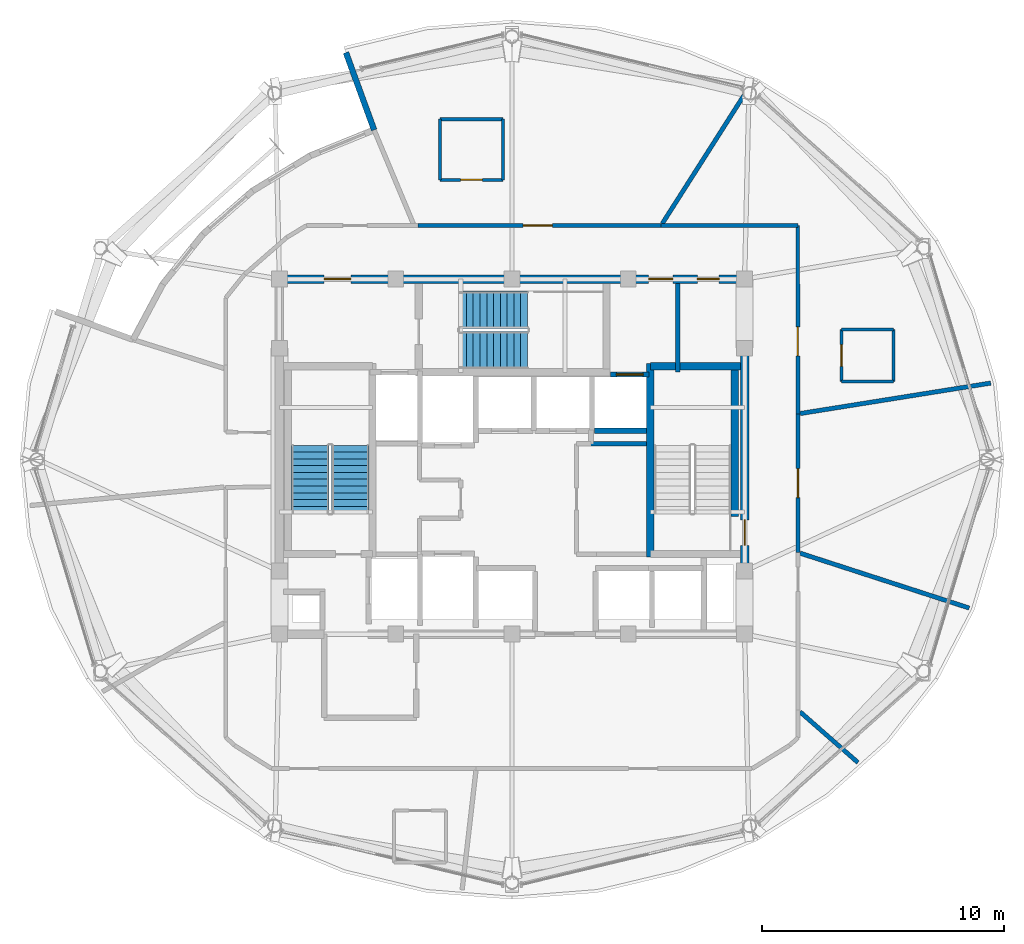
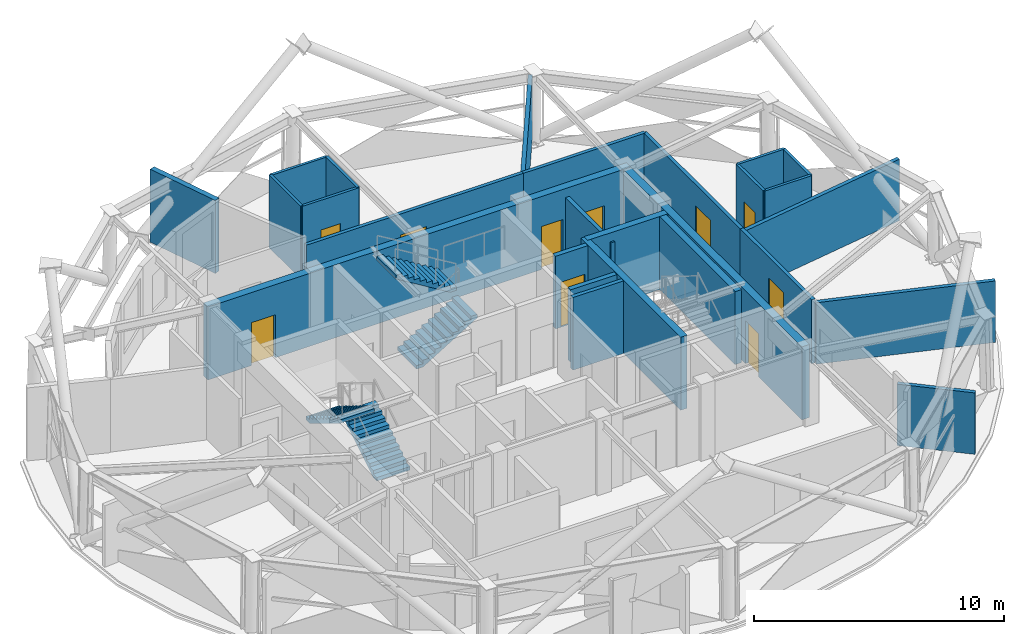
# One storey, part 10 of 15: 26 walls, 10 doors, 4 stair flights, 10 openings, 2 elements without a shape of their own.
"""IFC4 building model written with IfcOpenShell, lengths in metres."""

from ifc_helpers import new_model, si_unit, direction, frame, frame_2d, origin, place, context, subcontext, project, spatial, polyline, rectangle, outline, extrude, material, layer, layer_set, type_object, element, fill, aggregate, save


model = new_model("IFC4")

# Units and contexts
model_context = context("Model", 3, precision=1e-05, world=origin(), true_north=direction((0.0, 1.0)))
body_context = subcontext(model_context, "Body", "Model", "MODEL_VIEW")
ifc_project = project(units=[si_unit("LENGTHUNIT", "METRE"), si_unit("AREAUNIT", "SQUARE_METRE"), si_unit("VOLUMEUNIT", "CUBIC_METRE"), si_unit("PLANEANGLEUNIT", "RADIAN"), si_unit("MASSUNIT", "GRAM", prefix="KILO")], contexts=[model_context])

# Site, building, storey
site_placement = place(None, origin())
site = spatial("IfcSite", under=ifc_project, at=site_placement, CompositionType="ELEMENT")
building_placement = place(site_placement, origin())
building = spatial("IfcBuilding", under=site, at=building_placement, Name="Vantalir Tower", CompositionType="ELEMENT")
storey_placement = place(building_placement, frame((0.0, 0.0, 275.10009765625)))
storey = spatial("IfcBuildingStorey", under=building, at=storey_placement, Name="L69", CompositionType="ELEMENT", Elevation=275.10009765625)

# Walls
ifc_material_1 = material(Name="Moisture-resistant en-suite partition", Category="gypsum")
ifc_layer_1 = layer(ifc_material_1, 0.125)
ifc_layer_set_1 = layer_set([ifc_layer_1], Name="Moisture-resistant en-suite partition")
wall_type_1 = type_object("IfcWallType", Name="WL-BATH-125", PredefinedType="PARTITIONING", material=ifc_layer_set_1)
for number, where, z_axis, x_axis, name in (
    (1, (45.094970703125, 28.218017578125, 0.0), (0.0, 0.0, 1.0), (1.0, 0.0, 0.0), "L69 En-suite 01 South Wall"),
    (2, (45.094970703125, 30.367919921875, 0.0), (0.0, 0.0, 1.0), (1.0, 0.0, 0.0), "L69 En-suite 01 North Wall"),
):
    element("IfcWall", number, at=place(storey_placement, frame(where, z_axis=z_axis, x_axis=x_axis)), inside=storey, type_object=wall_type_1, Name=name, PredefinedType="PARTITIONING", context=body_context, shape_type="SweptSolid", body=[
        extrude(rectangle(XDim=2.150146484375, YDim=0.125, at=frame_2d((1.0751953125, 0.0))), origin(), (0.0, 0.0, 1.0), 3.5498046875),
    ])

# Wall, opening, door
wall_1_placement = place(storey_placement, frame((45.094970703125, 28.218017578125, 0.0), z_axis=(0.0, 0.0, 1.0), x_axis=(0.0, 1.0, 0.0)))
wall_1 = element("IfcWall", 3, at=wall_1_placement, inside=storey, type_object=wall_type_1, Name="L69 En-suite 01 West Wall", PredefinedType="PARTITIONING", context=body_context, shape_type="SweptSolid", body=[
    extrude(rectangle(XDim=2.14990234375, YDim=0.125, at=frame_2d((1.074951171875, 0.0))), origin(), (0.0, 0.0, 1.0), 3.5498046875),
])
opening_1_placement = place(wall_1_placement, frame((0.625, 0.0, 0.0)))
opening_1 = element("IfcOpeningElement", 4, at=opening_1_placement, cuts=wall_1, Name="Opening D-WC", PredefinedType="OPENING", context=body_context, shape_type="SweptSolid", body=[
    extrude(rectangle(XDim=0.89990234375, YDim=2.10009765625, at=frame_2d((0.449951171875, 1.050048828125))), frame((0.0, 0.072509765625, 0.0), z_axis=(0.0, -1.0, 0.0), x_axis=(1.0, 0.0, 0.0)), (0.0, 0.0, 1.0), 0.14501953125),
])
ifc_material_2 = material(Name="Moisture-resistant hardwood door", Category="wood")
door_type_1 = type_object("IfcDoorType", Name="DR-ENSUITE-900", OperationType="NOTDEFINED", PredefinedType="DOOR", material=ifc_material_2)
door_1_placement = place(opening_1_placement, frame((0.89990234375, 0.0, 0.0), z_axis=(0.0, 0.0, 1.0), x_axis=(-1.0, 0.0, 0.0)))
door_1 = element("IfcDoor", 5, at=door_1_placement, inside=storey, type_object=door_type_1, Name="L69 En-suite 01 Door", OperationType="SINGLE_SWING_LEFT", OverallHeight=2.10009765625, OverallWidth=0.89990234375, PredefinedType="DOOR", context=body_context, shape_type="SweptSolid", body=[
    extrude(rectangle(XDim=0.89990234375, YDim=2.10009765625, at=frame_2d((0.449951171875, 1.050048828125))), frame((0.0, 0.02490234375, 0.0), z_axis=(0.0, -1.0, 0.0), x_axis=(1.0, 0.0, 0.0)), (0.0, 0.0, 1.0), 0.050048828125),
])
fill(opening_1, door_1)

# Wall
wall_2_placement = place(storey_placement, frame((47.2451171875, 28.218017578125, 0.0), z_axis=(0.0, 0.0, 1.0), x_axis=(0.0, 1.0, 0.0)))
element("IfcWall", 6, at=wall_2_placement, inside=storey, type_object=wall_type_1, Name="L69 En-suite 01 East Wall", PredefinedType="PARTITIONING", context=body_context, shape_type="SweptSolid", body=[
    extrude(rectangle(XDim=2.14990234375, YDim=0.125, at=frame_2d((1.074951171875, 0.0))), origin(), (0.0, 0.0, 1.0), 3.5498046875),
])

# Wall, opening, door
wall_3_placement = place(storey_placement, frame((28.528076171875, 36.547119140625, 0.0), z_axis=(0.0, 0.0, 1.0), x_axis=(1.0, 0.0, 0.0)))
wall_3 = element("IfcWall", 7, at=wall_3_placement, inside=storey, type_object=wall_type_1, Name="L69 En-suite 02 South Wall", PredefinedType="PARTITIONING", context=body_context, shape_type="SweptSolid", body=[
    extrude(rectangle(XDim=2.599853515625, YDim=0.125, at=frame_2d((1.2998046875, 0.0))), origin(), (0.0, 0.0, 1.0), 3.5498046875),
])
opening_2_placement = place(wall_3_placement, frame((0.85009765625, 0.0, 0.0)))
opening_2 = element("IfcOpeningElement", 8, at=opening_2_placement, cuts=wall_3, Name="Opening D-WC", PredefinedType="OPENING", context=body_context, shape_type="SweptSolid", body=[
    extrude(rectangle(XDim=0.89990234375, YDim=2.10009765625, at=frame_2d((0.449951171875, 1.050048828125))), frame((0.0, 0.072509765625, 0.0), z_axis=(0.0, -1.0, 0.0), x_axis=(1.0, 0.0, 0.0)), (0.0, 0.0, 1.0), 0.14501953125),
])
door_2_placement = place(opening_2_placement, origin())
door_2 = element("IfcDoor", 9, at=door_2_placement, inside=storey, type_object=door_type_1, Name="L69 En-suite 02 Door", OperationType="SINGLE_SWING_RIGHT", OverallHeight=2.10009765625, OverallWidth=0.89990234375, PredefinedType="DOOR", context=body_context, shape_type="SweptSolid", body=[
    extrude(rectangle(XDim=0.89990234375, YDim=2.10009765625, at=frame_2d((0.449951171875, 1.050048828125))), frame((0.0, 0.02490234375, 0.0), z_axis=(0.0, -1.0, 0.0), x_axis=(1.0, 0.0, 0.0)), (0.0, 0.0, 1.0), 0.050048828125),
])
fill(opening_2, door_2)

# Walls
wall_4_placement = place(storey_placement, frame((28.528076171875, 39.047119140625, 0.0), z_axis=(0.0, 0.0, 1.0), x_axis=(1.0, 0.0, 0.0)))
element("IfcWall", 10, at=wall_4_placement, inside=storey, type_object=wall_type_1, Name="L69 En-suite 02 North Wall", PredefinedType="PARTITIONING", context=body_context, shape_type="SweptSolid", body=[
    extrude(rectangle(XDim=2.599853515625, YDim=0.125, at=frame_2d((1.2998046875, 0.0))), origin(), (0.0, 0.0, 1.0), 3.5498046875),
])
for number, where, z_axis, x_axis, name in (
    (11, (28.528076171875, 36.547119140625, 0.0), (0.0, 0.0, 1.0), (0.0, 1.0, 0.0), "L69 En-suite 02 West Wall"),
    (12, (31.1279296875, 36.547119140625, 0.0), (0.0, 0.0, 1.0), (0.0, 1.0, 0.0), "L69 En-suite 02 East Wall"),
):
    element("IfcWall", number, at=place(storey_placement, frame(where, z_axis=z_axis, x_axis=x_axis)), inside=storey, type_object=wall_type_1, Name=name, PredefinedType="PARTITIONING", context=body_context, shape_type="SweptSolid", body=[
        extrude(rectangle(XDim=2.5, YDim=0.125, at=frame_2d((1.25, 0.0))), origin(), (0.0, 0.0, 1.0), 3.5498046875),
    ])

# Wall, openings, doors
ifc_material_3 = material(Name="Concrete C50/60", Category="concrete")
ifc_layer_2 = layer(ifc_material_3, 0.35009765625)
ifc_layer_set_2 = layer_set([ifc_layer_2], Name="Concrete C50/60")
wall_type_2 = type_object("IfcWallType", Name="WL-CORE-350", PredefinedType="SHEAR", material=ifc_layer_set_2)
wall_5_placement = place(storey_placement, frame((21.72509765625, 32.449951171875, 0.0), z_axis=(0.0, 0.0, 1.0), x_axis=(1.0, 0.0, 0.0)))
wall_5 = element("IfcWall", 13, at=wall_5_placement, inside=storey, type_object=wall_type_2, Name="L69 Core Shear Wall North", PredefinedType="SHEAR", context=body_context, shape_type="SweptSolid", body=[
    extrude(rectangle(XDim=19.5498046875, YDim=0.35009765625, at=frame_2d((9.77490234375, 0.0))), origin(), (0.0, 0.0, 1.0), 3.56982421875),
])
opening_3_placement = place(wall_5_placement, frame((2.02490234375, 0.0, 0.0)))
opening_3 = element("IfcOpeningElement", 14, at=opening_3_placement, cuts=wall_5, Name="Opening D-FFL", PredefinedType="OPENING", context=body_context, shape_type="SweptSolid", body=[
    extrude(rectangle(XDim=1.10009765625, YDim=2.10009765625, at=frame_2d((0.550048828125, 1.050048828125))), frame((0.0, 0.18505859375, 0.0), z_axis=(0.0, -1.0, 0.0), x_axis=(1.0, 0.0, 0.0)), (0.0, 0.0, 1.0), 0.3701171875),
])
opening_4_placement = place(wall_5_placement, frame((15.4150390625, 0.0, 0.0)))
opening_4 = element("IfcOpeningElement", 15, at=opening_4_placement, cuts=wall_5, Name="Opening D-GUEST", PredefinedType="OPENING", context=body_context, shape_type="SweptSolid", body=[
    extrude(rectangle(XDim=1.0, YDim=2.10009765625, at=frame_2d((0.5, 1.050048828125))), frame((0.0, 0.18505859375, 0.0), z_axis=(0.0, -1.0, 0.0), x_axis=(1.0, 0.0, 0.0)), (0.0, 0.0, 1.0), 0.3701171875),
])
opening_5_placement = place(wall_5_placement, frame((17.425048828125, 0.0, 0.0)))
opening_5 = element("IfcOpeningElement", 16, at=opening_5_placement, cuts=wall_5, Name="Opening D-CR", PredefinedType="OPENING", context=body_context, shape_type="SweptSolid", body=[
    extrude(rectangle(XDim=0.89990234375, YDim=2.10009765625, at=frame_2d((0.449951171875, 1.050048828125))), frame((0.0, 0.18505859375, 0.0), z_axis=(0.0, -1.0, 0.0), x_axis=(1.0, 0.0, 0.0)), (0.0, 0.0, 1.0), 0.3701171875),
])
ifc_material_4 = material(Name="Fire-rated steel core service door", Category="steel")
door_type_2 = type_object("IfcDoorType", Name="DR-CORE-SERV-900", OperationType="NOTDEFINED", PredefinedType="DOOR", material=ifc_material_4)
door_3_placement = place(opening_5_placement, frame((0.89990234375, 0.0, 0.0), z_axis=(0.0, 0.0, 1.0), x_axis=(-1.0, 0.0, 0.0)))
door_3 = element("IfcDoor", 17, at=door_3_placement, inside=storey, type_object=door_type_2, Name="L69 Housekeeping and Linen Room Door", OperationType="SINGLE_SWING_RIGHT", OverallHeight=2.10009765625, OverallWidth=0.89990234375, PredefinedType="DOOR", context=body_context, shape_type="SweptSolid", body=[
    extrude(rectangle(XDim=0.89990234375, YDim=2.10009765625, at=frame_2d((0.449951171875, 1.050048828125))), frame((0.0, 0.02490234375, 0.0), z_axis=(0.0, -1.0, 0.0), x_axis=(1.0, 0.0, 0.0)), (0.0, 0.0, 1.0), 0.050048828125),
])
fill(opening_5, door_3)
ifc_material_5 = material(Name="Fire-rated acoustic steel door", Category="steel")
door_type_3 = type_object("IfcDoorType", Name="DR-FIRE-LOBBY-1100", OperationType="NOTDEFINED", PredefinedType="DOOR", material=ifc_material_5)
door_4_placement = place(opening_3_placement, frame((1.10009765625, 0.0, 0.0), z_axis=(0.0, 0.0, 1.0), x_axis=(-1.0, 0.0, 0.0)))
door_4 = element("IfcDoor", 18, at=door_4_placement, inside=storey, type_object=door_type_3, Name="L69 Firefighting Lobby East Access Door", OperationType="SINGLE_SWING_LEFT", OverallHeight=2.10009765625, OverallWidth=1.10009765625, PredefinedType="DOOR", context=body_context, shape_type="SweptSolid", body=[
    extrude(rectangle(XDim=1.10009765625, YDim=2.10009765625, at=frame_2d((0.550048828125, 1.050048828125))), frame((0.0, 0.02490234375, 0.0), z_axis=(0.0, -1.0, 0.0), x_axis=(1.0, 0.0, 0.0)), (0.0, 0.0, 1.0), 0.050048828125),
])
fill(opening_3, door_4)
ifc_material_6 = material(Name="Solid-core teak veneer acoustic fire door", Category="wood")
door_type_4 = type_object("IfcDoorType", Name="DR-GUEST-ENTRY-1000", OperationType="NOTDEFINED", PredefinedType="DOOR", material=ifc_material_6)
door_5_placement = place(opening_4_placement, frame((1.0, 0.0, 0.0), z_axis=(0.0, 0.0, 1.0), x_axis=(-1.0, 0.0, 0.0)))
door_5 = element("IfcDoor", 19, at=door_5_placement, inside=storey, type_object=door_type_4, Name="L69 High-Rise Lift Lobby Door", OperationType="SINGLE_SWING_LEFT", OverallHeight=2.10009765625, OverallWidth=1.0, PredefinedType="DOOR", context=body_context, shape_type="SweptSolid", body=[
    extrude(rectangle(XDim=1.0, YDim=2.10009765625, at=frame_2d((0.5, 1.050048828125))), frame((0.0, 0.02490234375, 0.0), z_axis=(0.0, -1.0, 0.0), x_axis=(1.0, 0.0, 0.0)), (0.0, 0.0, 1.0), 0.050048828125),
])
fill(opening_4, door_5)

# Wall, opening, door
wall_6_placement = place(storey_placement, frame((41.10009765625, 17.97509765625, 0.0), z_axis=(0.0, 0.0, 1.0), x_axis=(0.0, 1.0, 0.0)))
wall_6 = element("IfcWall", 20, at=wall_6_placement, inside=storey, type_object=wall_type_2, Name="L69 Core Shear Wall East", PredefinedType="SHEAR", context=body_context, shape_type="SweptSolid", body=[
    extrude(rectangle(XDim=14.2998046875, YDim=0.35009765625, at=frame_2d((7.14990234375, 0.0))), origin(), (0.0, 0.0, 1.0), 3.56982421875),
])
opening_6_placement = place(wall_6_placement, frame((3.485107421875, 0.0, 0.0)))
opening_6 = element("IfcOpeningElement", 21, at=opening_6_placement, cuts=wall_6, Name="Opening D-ST", PredefinedType="OPENING", context=body_context, shape_type="SweptSolid", body=[
    extrude(rectangle(XDim=1.050048828125, YDim=2.10009765625, at=frame_2d((0.52490234375, 1.050048828125))), frame((0.0, 0.18505859375, 0.0), z_axis=(0.0, -1.0, 0.0), x_axis=(1.0, 0.0, 0.0)), (0.0, 0.0, 1.0), 0.3701171875),
])
ifc_material_7 = material(Name="Fire-rated steel door leaf", Category="steel")
door_type_5 = type_object("IfcDoorType", Name="DR-FIRE-STAIR-1050", OperationType="NOTDEFINED", PredefinedType="DOOR", material=ifc_material_7)
door_6_placement = place(opening_6_placement, origin())
door_6 = element("IfcDoor", 22, at=door_6_placement, inside=storey, type_object=door_type_5, Name="L69 Exit Stair ST2 Fire Door", OperationType="SINGLE_SWING_LEFT", OverallHeight=2.10009765625, OverallWidth=1.050048828125, PredefinedType="DOOR", context=body_context, shape_type="SweptSolid", body=[
    extrude(rectangle(XDim=1.050048828125, YDim=2.10009765625, at=frame_2d((0.52490234375, 1.050048828125))), frame((0.0, 0.02490234375, 0.0), z_axis=(0.0, -1.0, 0.0), x_axis=(1.0, 0.0, 0.0)), (0.0, 0.0, 1.0), 0.050048828125),
])
fill(opening_6, door_6)

ifc_material_8 = material(Name="Fire-rated hotel corridor acoustic partition", Category="gypsum")
ifc_layer_3 = layer(ifc_material_8, 0.159912109375)
ifc_layer_set_3 = layer_set([ifc_layer_3], Name="Fire-rated hotel corridor acoustic partition")
wall_type_3 = type_object("IfcWallType", Name="WL-CORR-160", PredefinedType="PARTITIONING", material=ifc_layer_set_3)
wall_7_placement = place(storey_placement, frame((27.6220703125, 34.662109375, 0.0), z_axis=(0.0, 0.0, 1.0), x_axis=(0.999999992592, -0.000121719654, 0.0)))
wall_7 = element("IfcWall", 23, at=wall_7_placement, inside=storey, type_object=wall_type_3, Name="L69 Corridor Partition 08", PredefinedType="PARTITIONING", context=body_context, shape_type="SweptSolid", body=[
    extrude(rectangle(XDim=10.02880859375, YDim=0.159912109375, at=frame_2d((5.014404296875, 0.0))), origin(), (0.0, 0.0, 1.0), 3.1318359375),
])
opening_7_placement = place(wall_7_placement, frame((4.340087890625, 0.0, 0.0)))
opening_7 = element("IfcOpeningElement", 24, at=opening_7_placement, cuts=wall_7, Name="Opening D-STE", PredefinedType="OPENING", context=body_context, shape_type="SweptSolid", body=[
    extrude(rectangle(XDim=1.199951171875, YDim=2.10009765625, at=frame_2d((0.60009765625, 1.050048828125))), frame((0.0, 0.08984375, 0.0), z_axis=(0.0, -1.0, 0.0), x_axis=(1.0, 0.0, 0.0)), (0.0, 0.0, 1.0), 0.179931640625),
])
ifc_material_9 = material(Name="Solid-core teak veneer suite entrance door", Category="wood")
door_type_6 = type_object("IfcDoorType", Name="DR-SUITE-ENTRY-1200", OperationType="NOTDEFINED", PredefinedType="DOOR", material=ifc_material_9)
door_7_placement = place(opening_7_placement, origin())
door_7 = element("IfcDoor", 25, at=door_7_placement, inside=storey, type_object=door_type_6, Name="L69 Executive Club Hotel Suite 02 Door", OperationType="SINGLE_SWING_RIGHT", OverallHeight=2.10009765625, OverallWidth=1.199951171875, PredefinedType="DOOR", context=body_context, shape_type="SweptSolid", body=[
    extrude(rectangle(XDim=1.199951171875, YDim=2.10009765625, at=frame_2d((0.60009765625, 1.050048828125))), frame((0.0, 0.02490234375, 0.0), z_axis=(0.0, -1.0, 0.0), x_axis=(1.0, 0.0, 0.0)), (0.0, 0.0, 1.0), 0.050048828125),
])
fill(opening_7, door_7)

# Wall
wall_8_placement = place(storey_placement, frame((37.65087890625, 34.660888671875, 0.0), z_axis=(0.0, 0.0, 1.0), x_axis=(0.999999985026, -0.000173055289, 0.0)))
element("IfcWall", 26, at=wall_8_placement, inside=storey, type_object=wall_type_3, Name="L69 Corridor Partition 09", PredefinedType="PARTITIONING", context=body_context, shape_type="SweptSolid", body=[
    extrude(rectangle(XDim=5.64306640625, YDim=0.159912109375, at=frame_2d((2.821533203125, 0.0))), origin(), (0.0, 0.0, 1.0), 3.1318359375),
])

# Wall, opening, door
wall_9_placement = place(storey_placement, frame((43.2939453125, 34.659912109375, 0.0), z_axis=(0.0, 0.0, 1.0), x_axis=(0.000659589027, -0.999999782471, 0.0)))
wall_9 = element("IfcWall", 27, at=wall_9_placement, inside=storey, type_object=wall_type_3, Name="L69 Corridor Partition 10", PredefinedType="PARTITIONING", context=body_context, shape_type="SweptSolid", body=[
    extrude(rectangle(XDim=7.77294921875, YDim=0.159912109375, at=frame_2d((3.886474609375, 0.0))), origin(), (0.0, 0.0, 1.0), 3.1318359375),
])
opening_8_placement = place(wall_9_placement, frame((4.179931640625, 0.0, 0.0)))
opening_8 = element("IfcOpeningElement", 28, at=opening_8_placement, cuts=wall_9, Name="Opening D-STE", PredefinedType="OPENING", context=body_context, shape_type="SweptSolid", body=[
    extrude(rectangle(XDim=1.199951171875, YDim=2.10009765625, at=frame_2d((0.60009765625, 1.050048828125))), frame((0.0, 0.08984375, 0.0), z_axis=(0.0, -1.0, 0.0), x_axis=(1.0, 0.0, 0.0)), (0.0, 0.0, 1.0), 0.179931640625),
])
door_8_placement = place(opening_8_placement, origin())
door_8 = element("IfcDoor", 29, at=door_8_placement, inside=storey, type_object=door_type_6, Name="L69 Corner Panorama Hotel Suite 01 Door", OperationType="SINGLE_SWING_LEFT", OverallHeight=2.10009765625, OverallWidth=1.199951171875, PredefinedType="DOOR", context=body_context, shape_type="SweptSolid", body=[
    extrude(rectangle(XDim=1.199951171875, YDim=2.10009765625, at=frame_2d((0.60009765625, 1.050048828125))), frame((0.0, 0.02490234375, 0.0), z_axis=(0.0, -1.0, 0.0), x_axis=(1.0, 0.0, 0.0)), (0.0, 0.0, 1.0), 0.050048828125),
])
fill(opening_8, door_8)

wall_10_placement = place(storey_placement, frame((43.299072265625, 26.886962890625, 0.0), z_axis=(0.0, 0.0, 1.0), x_axis=(0.000683030791, -0.999999766734, 0.0)))
wall_10 = element("IfcWall", 30, at=wall_10_placement, inside=storey, type_object=wall_type_3, Name="L69 Corridor Partition 11", PredefinedType="PARTITIONING", context=body_context, shape_type="SweptSolid", body=[
    extrude(rectangle(XDim=5.718994140625, YDim=0.159912109375, at=frame_2d((2.859375, 0.0))), origin(), (0.0, 0.0, 1.0), 3.1318359375),
])
opening_9_placement = place(wall_10_placement, frame((2.260009765625, 0.0, 0.0)))
opening_9 = element("IfcOpeningElement", 31, at=opening_9_placement, cuts=wall_10, Name="Opening D-STE", PredefinedType="OPENING", context=body_context, shape_type="SweptSolid", body=[
    extrude(rectangle(XDim=1.199951171875, YDim=2.10009765625, at=frame_2d((0.60009765625, 1.050048828125))), frame((0.0, 0.08984375, 0.0), z_axis=(0.0, -1.0, 0.0), x_axis=(1.0, 0.0, 0.0)), (0.0, 0.0, 1.0), 0.179931640625),
])
door_9_placement = place(opening_9_placement, origin())
door_9 = element("IfcDoor", 32, at=door_9_placement, inside=storey, type_object=door_type_6, Name="L69 Club Reading Lounge 09 Door", OperationType="SINGLE_SWING_LEFT", OverallHeight=2.10009765625, OverallWidth=1.199951171875, PredefinedType="DOOR", context=body_context, shape_type="SweptSolid", body=[
    extrude(rectangle(XDim=1.199951171875, YDim=2.10009765625, at=frame_2d((0.60009765625, 1.050048828125))), frame((0.0, 0.02490234375, 0.0), z_axis=(0.0, -1.0, 0.0), x_axis=(1.0, 0.0, 0.0)), (0.0, 0.0, 1.0), 0.050048828125),
])
fill(opening_9, door_9)

# Walls
ifc_material_10 = material(Name="Precast concrete C40/50 insulated sky-garden wall", Category="concrete")
ifc_layer_4 = layer(ifc_material_10, 0.239990234375)
ifc_layer_set_4 = layer_set([ifc_layer_4], Name="Precast concrete C40/50 insulated sky-garden wall")
wall_type_4 = type_object("IfcWallType", Name="WL-EXT-SG-240", PredefinedType="SOLIDWALL", material=ifc_layer_set_4)
wall_11_placement = place(storey_placement, frame((24.64599609375, 41.800048828125, 0.0), z_axis=(0.0, 0.0, 1.0), x_axis=(0.342065890968, -0.939675968745, 0.0)))
element("IfcWall", 33, at=wall_11_placement, inside=storey, type_object=wall_type_4, Name="L69 SG4 Sky-Garden Return Wall A", PredefinedType="SOLIDWALL", context=body_context, shape_type="SweptSolid", body=[
    extrude(rectangle(XDim=3.400146484375, YDim=0.239990234375, at=frame_2d((1.7001953125, 0.0))), origin(), (0.0, 0.0, 1.0), 3.56982421875),
])
ifc_material_11 = material(Name="Concrete blockwork with fireboard lining", Category="masonry")
ifc_layer_5 = layer(ifc_material_11, 0.219970703125)
ifc_layer_set_5 = layer_set([ifc_layer_5], Name="Concrete blockwork with fireboard lining")
wall_type_5 = type_object("IfcWallType", Name="WL-FFL-220", PredefinedType="PARTITIONING", material=ifc_layer_set_5)
wall_12_placement = place(storey_placement, frame((34.909912109375, 26.18994140625, 0.0), z_axis=(0.0, 0.0, 1.0), x_axis=(1.0, 0.0, 0.0)))
element("IfcWall", 34, at=wall_12_placement, inside=storey, type_object=wall_type_5, Name="L69 High-Rise Lift PL-H3 Rear Shaft Wall", PredefinedType="PARTITIONING", context=body_context, shape_type="SweptSolid", body=[
    extrude(rectangle(XDim=2.14013671875, YDim=0.219970703125, at=frame_2d((1.070068359375, 0.0))), origin(), (0.0, 0.0, 1.0), 3.544921875),
])

# Wall, opening, door
wall_13_placement = place(storey_placement, frame((35.56005859375, 28.510009765625, 0.0), z_axis=(0.0, 0.0, 1.0), x_axis=(1.0, 0.0, 0.0)))
wall_13 = element("IfcWall", 35, at=wall_13_placement, inside=storey, type_object=wall_type_5, Name="L69 Lift PL-H3 Shaft Front Wall", PredefinedType="PARTITIONING", context=body_context, shape_type="SweptSolid", body=[
    extrude(rectangle(XDim=1.599853515625, YDim=0.219970703125, at=frame_2d((0.7998046875, 0.0))), origin(), (0.0, 0.0, 1.0), 3.5498046875),
])
opening_10_placement = place(wall_13_placement, frame((0.25, 0.0, 0.0)))
opening_10 = element("IfcOpeningElement", 36, at=opening_10_placement, cuts=wall_13, Name="Opening LD-PL-H3", PredefinedType="OPENING", context=body_context, shape_type="SweptSolid", body=[
    extrude(rectangle(XDim=1.10009765625, YDim=2.199951171875, at=frame_2d((0.550048828125, 1.10009765625))), frame((0.0, 0.119873046875, 0.0), z_axis=(0.0, -1.0, 0.0), x_axis=(1.0, 0.0, 0.0)), (0.0, 0.0, 1.0), 0.239990234375),
])
ifc_material_12 = material(Name="Brushed stainless-steel sliding lift landing door", Category="steel")
door_type_7 = type_object("IfcDoorType", Name="DR-LIFT-LANDING-1100", OperationType="DOUBLE_DOOR_SLIDING", PredefinedType="DOOR", material=ifc_material_12)
door_10_placement = place(opening_10_placement, origin())
door_10 = element("IfcDoor", 37, at=door_10_placement, inside=storey, type_object=door_type_7, Name="L69 Lift Landing Door PL-H3", OperationType="DOUBLE_DOOR_SLIDING", OverallHeight=2.199951171875, OverallWidth=1.10009765625, PredefinedType="DOOR", context=body_context, shape_type="SweptSolid", body=[
    extrude(rectangle(XDim=1.10009765625, YDim=2.199951171875, at=frame_2d((0.550048828125, 1.10009765625))), frame((0.0, 0.02490234375, 0.0), z_axis=(0.0, -1.0, 0.0), x_axis=(1.0, 0.0, 0.0)), (0.0, 0.0, 1.0), 0.050048828125),
])
fill(opening_10, door_10)

# Walls
ifc_material_13 = material(Name="Twin-stud acoustic fire-rated gypsum partition", Category="gypsum")
ifc_layer_6 = layer(ifc_material_13, 0.179931640625)
ifc_layer_set_6 = layer_set([ifc_layer_6], Name="Twin-stud acoustic fire-rated gypsum partition")
wall_type_6 = type_object("IfcWallType", Name="WL-GUEST-180", PredefinedType="PARTITIONING", material=ifc_layer_set_6)
wall_14_placement = place(storey_placement, frame((34.719970703125, 25.64990234375, 0.0), z_axis=(0.0, 0.0, 1.0), x_axis=(1.0, 0.0, 0.0)))
element("IfcWall", 38, at=wall_14_placement, inside=storey, type_object=wall_type_6, Name="L69 Freed East Core North Wall", PredefinedType="PARTITIONING", context=body_context, shape_type="SweptSolid", body=[
    extrude(rectangle(XDim=2.340087890625, YDim=0.179931640625, at=frame_2d((1.169921875, 0.0))), origin(), (0.0, 0.0, 1.0), 3.5498046875),
])
wall_15_placement = place(storey_placement, frame((38.340087890625, 28.6201171875, 0.0), z_axis=(0.0, 0.0, 1.0), x_axis=(0.0, 1.0, 0.0)))
element("IfcWall", 39, at=wall_15_placement, inside=storey, type_object=wall_type_6, Name="L69 High-Rise Lift Lobby East Wall", PredefinedType="PARTITIONING", context=body_context, shape_type="SweptSolid", body=[
    extrude(rectangle(XDim=3.65478515625, YDim=0.179931640625, at=frame_2d((1.827392578125, 0.0))), origin(), (0.0, 0.0, 1.0), 3.1318359375),
])
wall_16_placement = place(storey_placement, frame((43.389892578125, 26.90087890625, 0.0), z_axis=(0.0, 0.0, 1.0), x_axis=(0.98746031542, 0.15786743005, 0.0)))
element("IfcWall", 40, at=wall_16_placement, inside=storey, type_object=wall_type_6, Name="L69 Radial Suite Partition 01", PredefinedType="PARTITIONING", context=body_context, shape_type="SweptSolid", body=[
    extrude(rectangle(XDim=7.968994140625, YDim=0.179931640625, at=frame_2d((3.984375, 0.0))), origin(), (0.0, 0.0, 1.0), 3.0029296875),
])
wall_17_placement = place(storey_placement, frame((37.701904296875, 34.739990234375, 0.0), z_axis=(0.0, 0.0, 1.0), x_axis=(0.537156628759, 0.84348251682, 0.0)))
element("IfcWall", 41, at=wall_17_placement, inside=storey, type_object=wall_type_6, Name="L69 Radial Suite Partition 02", PredefinedType="PARTITIONING", context=body_context, shape_type="SweptSolid", body=[
    extrude(rectangle(XDim=6.91064453125, YDim=0.179931640625, at=frame_2d((3.455322265625, 0.0))), origin(), (0.0, 0.0, 1.0), 3.0029296875),
])
wall_18_placement = place(storey_placement, frame((43.389892578125, 14.589111328125, 0.0), z_axis=(0.0, 0.0, 1.0), x_axis=(0.752357486603, -0.658755047307, 0.0)))
element("IfcWall", 42, at=wall_18_placement, inside=storey, type_object=wall_type_6, Name="L69 Radial Suite Partition 08", PredefinedType="PARTITIONING", context=body_context, shape_type="SweptSolid", body=[
    extrude(rectangle(XDim=3.17431640625, YDim=0.179931640625, at=frame_2d((1.587158203125, 0.0))), origin(), (0.0, 0.0, 1.0), 3.0029296875),
])
wall_19_placement = place(storey_placement, frame((43.389892578125, 21.139892578125, 0.0), z_axis=(0.0, 0.0, 1.0), x_axis=(0.951126451792, -0.308801672115, 0.0)))
element("IfcWall", 43, at=wall_19_placement, inside=storey, type_object=wall_type_6, Name="L69 Radial Suite Partition 09", PredefinedType="PARTITIONING", context=body_context, shape_type="SweptSolid", body=[
    extrude(rectangle(XDim=7.337646484375, YDim=0.179931640625, at=frame_2d((3.6689453125, 0.0))), origin(), (0.0, 0.0, 1.0), 3.0029296875),
])
ifc_layer_7 = layer(ifc_material_3, 0.300048828125)
ifc_layer_set_7 = layer_set([ifc_layer_7], Name="Concrete C50/60")
wall_type_7 = type_object("IfcWallType", Name="WL-STAIR-300", PredefinedType="SHEAR", material=ifc_layer_set_7)
wall_20_placement = place(storey_placement, frame((37.2099609375, 28.85009765625, 0.0), z_axis=(0.0, 0.0, 1.0), x_axis=(1.0, 0.0, 0.0)))
element("IfcWall", 44, at=wall_20_placement, inside=storey, type_object=wall_type_7, Name="L69 Stair ST2 North Wall", PredefinedType="SHEAR", context=body_context, shape_type="SweptSolid", body=[
    extrude(rectangle(XDim=3.715087890625, YDim=0.300048828125, at=frame_2d((1.857421875, 0.0))), origin(), (0.0, 0.0, 1.0), 3.56982421875),
])
wall_21_placement = place(storey_placement, frame((37.2099609375, 20.97998046875, 0.0), z_axis=(0.0, 0.0, 1.0), x_axis=(0.0, 1.0, 0.0)))
element("IfcWall", 45, at=wall_21_placement, inside=storey, type_object=wall_type_7, Name="L69 Stair ST2 West Wall", PredefinedType="SHEAR", context=body_context, shape_type="SweptSolid", body=[
    extrude(rectangle(XDim=7.989990234375, YDim=0.300048828125, at=frame_2d((3.9951171875, 0.0))), origin(), (0.0, 0.0, 1.0), 3.56982421875),
])
wall_22_placement = place(storey_placement, frame((40.68994140625, 22.64990234375, 0.0), z_axis=(0.0, 0.0, 1.0), x_axis=(0.0, 1.0, 0.0)))
element("IfcWall", 46, at=wall_22_placement, inside=storey, type_object=wall_type_7, Name="L69 Stair ST2 East Liner Wall", PredefinedType="SHEAR", context=body_context, shape_type="SweptSolid", body=[
    extrude(rectangle(XDim=6.2001953125, YDim=0.300048828125, at=frame_2d((3.10009765625, 0.0))), origin(), (0.0, 0.0, 1.0), 3.56982421875),
])

# Stair, stair flights
ifc_material_14 = material(Name="Concrete C40/50", Category="concrete")
stair_type = type_object("IfcStairType", Name="STR-CORE-1450", PredefinedType="HALF_TURN_STAIR", material=ifc_material_14)
stair_1_placement = place(storey_placement, origin())
stair_1 = element("IfcStair", 47, at=stair_1_placement, inside=storey, type_object=stair_type, Name="L69 Core Exit Stair 1", PredefinedType="HALF_TURN_STAIR")
stair_flight_type = type_object("IfcStairFlightType", Name="FLT-CORE-1450", PredefinedType="STRAIGHT", material=ifc_material_14)
stair_flight_1_placement = place(storey_placement, frame((24.830078125, 22.7900390625, 0.0), z_axis=(0.0, 0.0, 1.0), x_axis=(0.0, 1.0, 0.0)))
stair_flight_1 = element("IfcStairFlight", 48, at=stair_flight_1_placement, type_object=stair_flight_type, Name="ST1 flight 1", NumberOfRisers=11, NumberOfTreads=10, PredefinedType="STRAIGHT", RiserHeight=0.170454545, TreadLength=0.28, context=body_context, shape_type="SweptSolid", body=[
    extrude(outline(polyline([(0.0, 0.0), (0.0, 0.17041015625), (0.280029296875, 0.17041015625), (0.280029296875, 0.3408203125), (0.56005859375, 0.3408203125), (0.56005859375, 0.511474609375), (0.840087890625, 0.511474609375), (0.840087890625, 0.681884765625), (1.1201171875, 0.681884765625), (1.1201171875, 0.852294921875), (1.39990234375, 0.852294921875), (1.39990234375, 1.022705078125), (1.679931640625, 1.022705078125), (1.679931640625, 1.193115234375), (1.9599609375, 1.193115234375), (1.9599609375, 1.363525390625), (2.239990234375, 1.363525390625), (2.239990234375, 1.5341796875), (2.52001953125, 1.5341796875), (2.52001953125, 1.70458984375), (2.800048828125, 1.70458984375), (2.800048828125, 1.875), (2.800048828125, 1.529052734375), (0.288330078125, 0.0), (0.0, 0.0)])), frame((0.0, 0.77001953125, 0.0), z_axis=(0.0, -1.0, 0.0), x_axis=(1.0, 0.0, 0.0)), (0.0, 0.0, 1.0), 1.5400390625),
])
stair_flight_2_placement = place(storey_placement, frame((23.169921875, 25.590087890625, 1.875), z_axis=(0.0, 0.0, 1.0), x_axis=(0.0, -1.0, 0.0)))
stair_flight_2 = element("IfcStairFlight", 49, at=stair_flight_2_placement, type_object=stair_flight_type, Name="ST1 flight 2", NumberOfRisers=11, NumberOfTreads=10, PredefinedType="STRAIGHT", RiserHeight=0.170454545, TreadLength=0.28, context=body_context, shape_type="SweptSolid", body=[
    extrude(outline(polyline([(0.0, 0.0), (0.0, 0.17041015625), (0.280029296875, 0.17041015625), (0.280029296875, 0.3408203125), (0.56005859375, 0.3408203125), (0.56005859375, 0.511474609375), (0.840087890625, 0.511474609375), (0.840087890625, 0.681884765625), (1.1201171875, 0.681884765625), (1.1201171875, 0.852294921875), (1.39990234375, 0.852294921875), (1.39990234375, 1.022705078125), (1.679931640625, 1.022705078125), (1.679931640625, 1.193115234375), (1.9599609375, 1.193115234375), (1.9599609375, 1.363525390625), (2.239990234375, 1.363525390625), (2.239990234375, 1.5341796875), (2.52001953125, 1.5341796875), (2.52001953125, 1.70458984375), (2.800048828125, 1.70458984375), (2.800048828125, 1.875), (2.800048828125, 1.529052734375), (0.288330078125, 0.0), (0.0, 0.0)])), frame((0.0, 0.77001953125, 0.0), z_axis=(0.0, -1.0, 0.0), x_axis=(1.0, 0.0, 0.0)), (0.0, 0.0, 1.0), 1.5400390625),
])
aggregate(stair_1, [stair_flight_1, stair_flight_2])

stair_2_placement = place(storey_placement, origin())
stair_2 = element("IfcStair", 50, at=stair_2_placement, inside=storey, type_object=stair_type, Name="L69 Core Exit Stair 3", PredefinedType="HALF_TURN_STAIR")
stair_flight_3_placement = place(storey_placement, frame((29.340087890625, 29.52001953125, 0.0), z_axis=(0.0, 0.0, 1.0), x_axis=(1.0, 0.0, 0.0)))
stair_flight_3 = element("IfcStairFlight", 51, at=stair_flight_3_placement, type_object=stair_flight_type, Name="ST3 flight 1", NumberOfRisers=11, NumberOfTreads=10, PredefinedType="STRAIGHT", RiserHeight=0.170454545, TreadLength=0.28, context=body_context, shape_type="SweptSolid", body=[
    extrude(outline(polyline([(0.0, 0.0), (0.0, 0.17041015625), (0.280029296875, 0.17041015625), (0.280029296875, 0.3408203125), (0.56005859375, 0.3408203125), (0.56005859375, 0.511474609375), (0.840087890625, 0.511474609375), (0.840087890625, 0.681884765625), (1.1201171875, 0.681884765625), (1.1201171875, 0.852294921875), (1.39990234375, 0.852294921875), (1.39990234375, 1.022705078125), (1.679931640625, 1.022705078125), (1.679931640625, 1.193115234375), (1.9599609375, 1.193115234375), (1.9599609375, 1.363525390625), (2.239990234375, 1.363525390625), (2.239990234375, 1.5341796875), (2.52001953125, 1.5341796875), (2.52001953125, 1.70458984375), (2.800048828125, 1.70458984375), (2.800048828125, 1.875), (2.800048828125, 1.529052734375), (0.288330078125, 0.0), (0.0, 0.0)])), frame((0.0, 0.77001953125, 0.0), z_axis=(0.0, -1.0, 0.0), x_axis=(1.0, 0.0, 0.0)), (0.0, 0.0, 1.0), 1.5400390625),
])
stair_flight_4_placement = place(storey_placement, frame((32.139892578125, 31.179931640625, 1.875), z_axis=(0.0, 0.0, 1.0), x_axis=(-1.0, 0.0, 0.0)))
stair_flight_4 = element("IfcStairFlight", 52, at=stair_flight_4_placement, type_object=stair_flight_type, Name="ST3 flight 2", NumberOfRisers=11, NumberOfTreads=10, PredefinedType="STRAIGHT", RiserHeight=0.170454545, TreadLength=0.28, context=body_context, shape_type="SweptSolid", body=[
    extrude(outline(polyline([(0.0, 0.0), (0.0, 0.17041015625), (0.280029296875, 0.17041015625), (0.280029296875, 0.3408203125), (0.56005859375, 0.3408203125), (0.56005859375, 0.511474609375), (0.840087890625, 0.511474609375), (0.840087890625, 0.681884765625), (1.1201171875, 0.681884765625), (1.1201171875, 0.852294921875), (1.39990234375, 0.852294921875), (1.39990234375, 1.022705078125), (1.679931640625, 1.022705078125), (1.679931640625, 1.193115234375), (1.9599609375, 1.193115234375), (1.9599609375, 1.363525390625), (2.239990234375, 1.363525390625), (2.239990234375, 1.5341796875), (2.52001953125, 1.5341796875), (2.52001953125, 1.70458984375), (2.800048828125, 1.70458984375), (2.800048828125, 1.875), (2.800048828125, 1.529052734375), (0.288330078125, 0.0), (0.0, 0.0)])), frame((0.0, 0.77001953125, 0.0), z_axis=(0.0, -1.0, 0.0), x_axis=(1.0, 0.0, 0.0)), (0.0, 0.0, 1.0), 1.5400390625),
])
aggregate(stair_2, [stair_flight_3, stair_flight_4])

save(model, "model.ifc")
